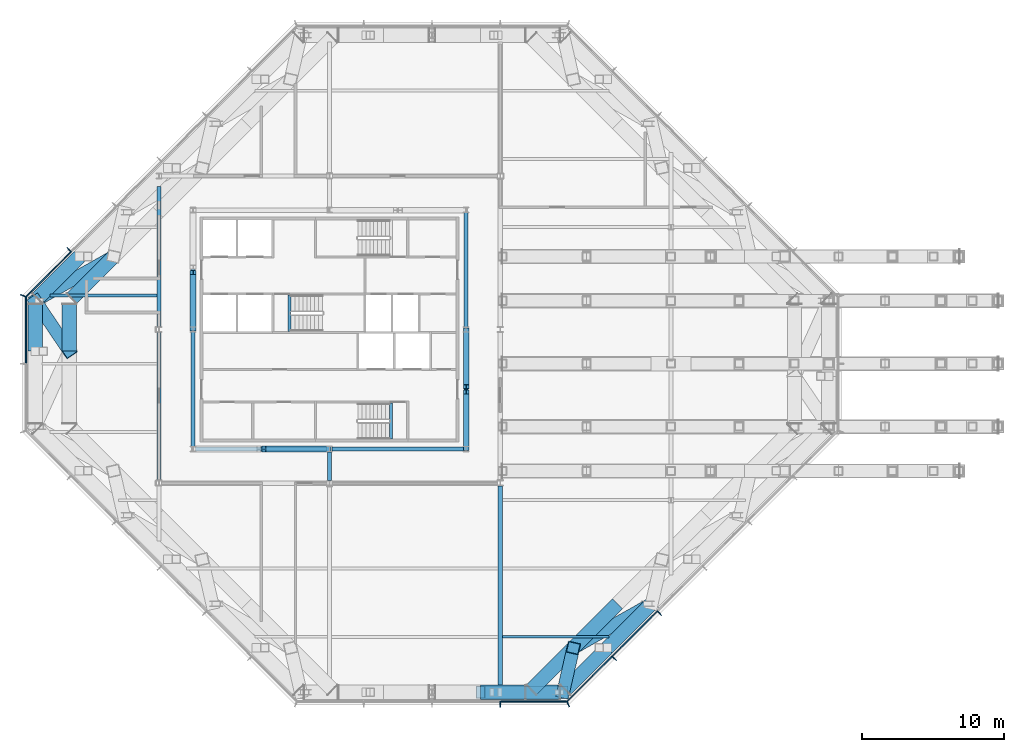
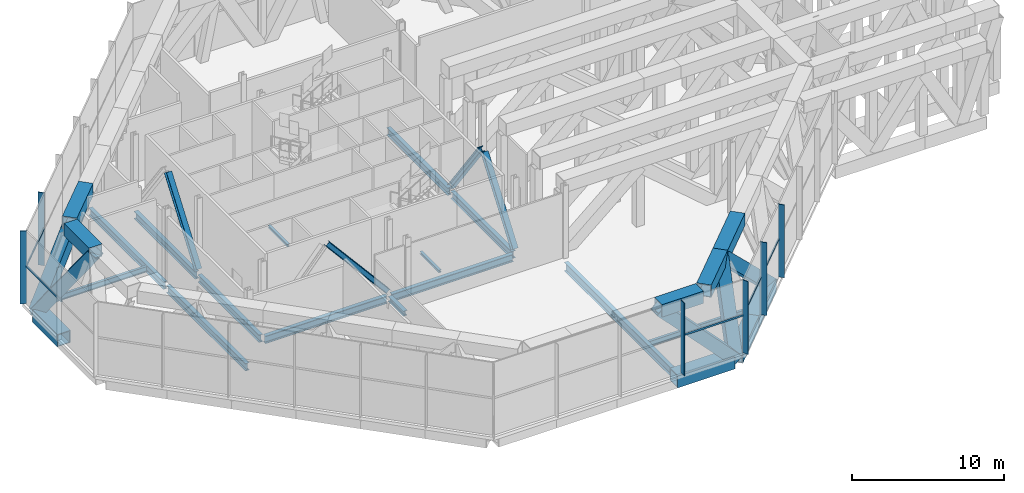
# One storey, part 5 of 18: 29 beams, 15 members, 4 elements without a shape of their own.
"""IFC4 building model written with IfcOpenShell, lengths in metres."""

from ifc_helpers import new_model, si_unit, direction, frame, origin, origin_2d, place, context, subcontext, project, spatial, rectangle, hollow_rectangle, i_section, extrude, material, material_profile, profile_set, type_object, element, aggregate, save


model = new_model("IFC4")

# Units and contexts
model_context = context("Model", 3, precision=1e-05, world=origin(), true_north=direction((0.0, 1.0)))
body_context = subcontext(model_context, "Body", "Model", "MODEL_VIEW")
ifc_project = project(units=[si_unit("LENGTHUNIT", "METRE"), si_unit("AREAUNIT", "SQUARE_METRE"), si_unit("VOLUMEUNIT", "CUBIC_METRE"), si_unit("PLANEANGLEUNIT", "RADIAN"), si_unit("MASSUNIT", "GRAM", prefix="KILO")], contexts=[model_context])

# Site, building, storey
site_placement = place(None, origin())
site = spatial("IfcSite", under=ifc_project, at=site_placement, CompositionType="ELEMENT")
building_placement = place(site_placement, origin())
building = spatial("IfcBuilding", under=site, at=building_placement, Name="Cairn Pilgrim Tower", CompositionType="ELEMENT")
storey_placement = place(building_placement, frame((0.0, 0.0, 261.0)))
storey = spatial("IfcBuildingStorey", under=building, at=storey_placement, Name="L67", CompositionType="ELEMENT", Elevation=261.0)

# Beams
ifc_material_1 = material(Name="Structural steel S460M", Category="steel")
ifc_material_profile_1 = material_profile(ifc_material_1, hollow_rectangle(XDim=1.0, YDim=1.0, WallThickness=0.06005859375, at=origin_2d()), Name="BOX 1000x1000x60")
ifc_profile_set_1 = profile_set([ifc_material_profile_1], Name="Structural steel S460M")
beam_type_1 = type_object("IfcBeamType", Name="BOX 1000x1000x60 CHORD", PredefinedType="USERDEFINED", material=ifc_profile_set_1)
beam_1_placement = place(storey_placement, frame((19.013671875, -23.10009765625, -0.75), z_axis=(1.0, 0.0, 0.0), x_axis=(0.0, 1.0, 0.0)))
element("IfcBeam", 1, at=beam_1_placement, inside=storey, type_object=beam_type_1, Name="BT67-S-BC4", ObjectType="CHORD", PredefinedType="USERDEFINED", context=body_context, shape_type="SweptSolid", body=[
    extrude(hollow_rectangle(XDim=1.0, YDim=1.0, WallThickness=0.06005859375, at=origin_2d()), origin(), (0.0, 0.0, 1.0), 4.3564453125),
])
beam_2_placement = place(storey_placement, frame((17.813720703125, -23.10009765625, 5.35009765625), z_axis=(1.0, 0.0, 0.0), x_axis=(0.0, 1.0, 0.0)))
element("IfcBeam", 2, at=beam_2_placement, inside=storey, type_object=beam_type_1, Name="BT67-S-TC4", ObjectType="CHORD", PredefinedType="USERDEFINED", context=body_context, shape_type="SweptSolid", body=[
    extrude(hollow_rectangle(XDim=1.0, YDim=1.0, WallThickness=0.06005859375, at=origin_2d()), origin(), (0.0, 0.0, 1.0), 3.156494140625),
])
beam_3_placement = place(storey_placement, frame((23.80908203125, -22.918212890625, -0.75), z_axis=(0.707077323927, 0.707136237219, 0.0), x_axis=(-0.707136237219, 0.707077323927, 0.0)))
element("IfcBeam", 3, at=beam_3_placement, inside=storey, type_object=beam_type_1, Name="BT67-SE-BC1", ObjectType="CHORD", PredefinedType="USERDEFINED", context=body_context, shape_type="SweptSolid", body=[
    extrude(hollow_rectangle(XDim=1.0, YDim=1.0, WallThickness=0.06005859375, at=origin_2d()), origin(), (0.0, 0.0, 1.0), 4.14404296875),
])
beam_4_placement = place(storey_placement, frame((21.408935546875, -22.918212890625, 5.35009765625), z_axis=(0.707106781187, 0.707106781187, 0.0), x_axis=(-0.707106781187, 0.707106781187, 0.0)))
element("IfcBeam", 4, at=beam_4_placement, inside=storey, type_object=beam_type_1, Name="BT67-SE-TC1", ObjectType="CHORD", PredefinedType="USERDEFINED", context=body_context, shape_type="SweptSolid", body=[
    extrude(hollow_rectangle(XDim=1.0, YDim=1.0, WallThickness=0.06005859375, at=origin_2d()), origin(), (0.0, 0.0, 1.0), 4.144287109375),
])
beam_5_placement = place(storey_placement, frame((26.7392578125, -19.98779296875, -0.75), z_axis=(0.707134515759, 0.707079045527, 0.0), x_axis=(-0.707079045527, 0.707134515759, 0.0)))
element("IfcBeam", 5, at=beam_5_placement, inside=storey, type_object=beam_type_1, Name="BT67-SE-BC2", ObjectType="CHORD", PredefinedType="USERDEFINED", context=body_context, shape_type="SweptSolid", body=[
    extrude(hollow_rectangle(XDim=1.0, YDim=1.0, WallThickness=0.06005859375, at=origin_2d()), origin(), (0.0, 0.0, 1.0), 4.4013671875),
])
beam_6_placement = place(storey_placement, frame((24.33935546875, -19.98779296875, 5.35009765625), z_axis=(0.707106781187, 0.707106781187, 0.0), x_axis=(-0.707106781187, 0.707106781187, 0.0)))
element("IfcBeam", 6, at=beam_6_placement, inside=storey, type_object=beam_type_1, Name="BT67-SE-TC2", ObjectType="CHORD", PredefinedType="USERDEFINED", context=body_context, shape_type="SweptSolid", body=[
    extrude(hollow_rectangle(XDim=1.0, YDim=1.0, WallThickness=0.06005859375, at=origin_2d()), origin(), (0.0, 0.0, 1.0), 4.401123046875),
])
beam_7_placement = place(storey_placement, frame((-10.387939453125, 7.539306640625, -0.75), z_axis=(-0.707077323927, -0.707136237219, 0.0), x_axis=(0.707136237219, -0.707077323927, 0.0)))
element("IfcBeam", 7, at=beam_7_placement, inside=storey, type_object=beam_type_1, Name="BT67-NW-BC6", ObjectType="CHORD", PredefinedType="USERDEFINED", context=body_context, shape_type="SweptSolid", body=[
    extrude(hollow_rectangle(XDim=1.0, YDim=1.0, WallThickness=0.06005859375, at=origin_2d()), origin(), (0.0, 0.0, 1.0), 4.14404296875),
])
beam_8_placement = place(storey_placement, frame((-7.98779296875, 7.539306640625, 5.35009765625), z_axis=(-0.707106781187, -0.707106781187, 0.0), x_axis=(0.707106781187, -0.707106781187, 0.0)))
element("IfcBeam", 8, at=beam_8_placement, inside=storey, type_object=beam_type_1, Name="BT67-NW-TC6", ObjectType="CHORD", PredefinedType="USERDEFINED", context=body_context, shape_type="SweptSolid", body=[
    extrude(hollow_rectangle(XDim=1.0, YDim=1.0, WallThickness=0.06005859375, at=origin_2d()), origin(), (0.0, 0.0, 1.0), 4.144287109375),
])
for number, where, z_axis, x_axis, name in (
    (9, (-13.5, 4.170166015625, -0.75), (0.0, -1.0, 0.0), (1.0, 0.0, 0.0), "BT67-W-BC1"),
    (10, (-11.10009765625, 4.170166015625, 5.35009765625), (0.0, -1.0, 0.0), (1.0, 0.0, 0.0), "BT67-W-TC1"),
):
    element("IfcBeam", number, at=place(storey_placement, frame(where, z_axis=z_axis, x_axis=x_axis)), inside=storey, type_object=beam_type_1, Name=name, ObjectType="CHORD", PredefinedType="USERDEFINED", context=body_context, shape_type="SweptSolid", body=[
        extrude(hollow_rectangle(XDim=1.0, YDim=1.0, WallThickness=0.06005859375, at=origin_2d()), origin(), (0.0, 0.0, 1.0), 3.28466796875),
    ])
ifc_material_profile_2 = material_profile(ifc_material_1, hollow_rectangle(XDim=0.89990234375, YDim=0.89990234375, WallThickness=0.050048828125, at=origin_2d()), Name="BOX 900x900x50")
ifc_profile_set_2 = profile_set([ifc_material_profile_2], Name="Structural steel S460M")
beam_type_2 = type_object("IfcBeamType", Name="BOX 900x900x50 DIAGONAL", PredefinedType="USERDEFINED", material=ifc_profile_set_2)
beam_9_placement = place(storey_placement, frame((17.813720703125, -23.10009765625, 5.35009765625), z_axis=(0.689895321041, 0.0, -0.723909142093), x_axis=(0.0, 1.0, 0.0)))
element("IfcBeam", 11, at=beam_9_placement, inside=storey, type_object=beam_type_2, Name="BT67-S-D4", ObjectType="DIAGONAL", PredefinedType="USERDEFINED", context=body_context, shape_type="SweptSolid", body=[
    extrude(hollow_rectangle(XDim=0.89990234375, YDim=0.89990234375, WallThickness=0.050048828125, at=origin_2d()), origin(), (0.0, 0.0, 1.0), 8.426513671875),
])
beam_10_placement = place(storey_placement, frame((23.627197265625, -23.10009765625, -0.75), z_axis=(0.10343447546, 0.452033833791, 0.885983477495), x_axis=(-0.974805800501, 0.223055265145, 0.0)))
element("IfcBeam", 12, at=beam_10_placement, inside=storey, type_object=beam_type_2, Name="BT67-SE-D1", ObjectType="DIAGONAL", PredefinedType="USERDEFINED", context=body_context, shape_type="SweptSolid", body=[
    extrude(hollow_rectangle(XDim=0.89990234375, YDim=0.89990234375, WallThickness=0.050048828125, at=origin_2d()), origin(), (0.0, 0.0, 1.0), 6.885009765625),
])
for number, where, z_axis, x_axis, name in (
    (13, (24.33935546875, -19.98779296875, 5.35009765625), (0.627033076163, 0.354007911323, -0.693907717292), (-0.491633993745, 0.870801938557, 0.0), "BT67-SE-D2"),
    (14, (-7.98779296875, 7.539306640625, 5.35009765625), (-0.627033076163, -0.354007911323, -0.693907717292), (0.491633993745, -0.870801938557, 0.0), "BT67-NW-D6"),
):
    element("IfcBeam", number, at=place(storey_placement, frame(where, z_axis=z_axis, x_axis=x_axis)), inside=storey, type_object=beam_type_2, Name=name, ObjectType="DIAGONAL", PredefinedType="USERDEFINED", context=body_context, shape_type="SweptSolid", body=[
        extrude(hollow_rectangle(XDim=0.89990234375, YDim=0.89990234375, WallThickness=0.050048828125, at=origin_2d()), origin(), (0.0, 0.0, 1.0), 8.791015625),
    ])
beam_11_placement = place(storey_placement, frame((-13.5, 4.42724609375, -0.75), z_axis=(0.322099138917, -0.475350173781, 0.818715064596), x_axis=(0.827847738793, 0.560952869121, 0.0)))
element("IfcBeam", 15, at=beam_11_placement, inside=storey, type_object=beam_type_2, Name="BT67-W-D1", ObjectType="DIAGONAL", PredefinedType="USERDEFINED", context=body_context, shape_type="SweptSolid", body=[
    extrude(hollow_rectangle(XDim=0.89990234375, YDim=0.89990234375, WallThickness=0.050048828125, at=origin_2d()), origin(), (0.0, 0.0, 1.0), 7.450927734375),
])

# Curtain wall, member
ifc_material_2 = material(Name="Aluminium alloy 6063-T6 bronze anodised with Bronze tinted laminated low-E glass 8+16+8.8", Category="aluminium")
curtain_wall_type = type_object("IfcCurtainWallType", Name="PLANT LOUVRE CURTAIN WALL", PredefinedType="NOTDEFINED", material=ifc_material_2)
curtain_wall_1_placement = place(storey_placement, origin())
curtain_wall_1 = element("IfcCurtainWall", 16, at=curtain_wall_1_placement, inside=storey, type_object=curtain_wall_type, Name="Plant Louvre Curtain Wall S", PredefinedType="NOTDEFINED")
ifc_material_3 = material(Name="Aluminium alloy 6063-T6 bronze anodised", Category="aluminium")
ifc_material_profile_3 = material_profile(ifc_material_3, rectangle(XDim=0.449951171875, YDim=0.06005859375, at=origin_2d()), Name="FIN MULLION 60x450 BRONZE")
ifc_profile_set_3 = profile_set([ifc_material_profile_3], Name="Aluminium alloy 6063-T6 bronze anodised")
member_type_1 = type_object("IfcMemberType", Name="FIN MULLION 60x450 BRONZE", PredefinedType="MULLION", material=ifc_profile_set_3)
member_1_placement = place(storey_placement, frame((19.199951171875, -23.945068359375, 0.0), z_axis=(0.0, 0.0, 1.0), x_axis=(0.0, -1.0, 0.0)))
member_1 = element("IfcMember", 17, at=member_1_placement, type_object=member_type_1, Name="Fin mullion S4", PredefinedType="MULLION", context=body_context, shape_type="SweptSolid", body=[
    extrude(rectangle(XDim=0.449951171875, YDim=0.06005859375, at=origin_2d()), origin(), (0.0, 0.0, 1.0), 5.85009765625),
])

# Curtain wall, members
curtain_wall_2_placement = place(storey_placement, origin())
curtain_wall_2 = element("IfcCurtainWall", 18, at=curtain_wall_2_placement, inside=storey, type_object=curtain_wall_type, Name="Plant Louvre Curtain Wall SE", PredefinedType="NOTDEFINED")
member_2_placement = place(storey_placement, frame((23.97119140625, -23.93017578125, 0.0), z_axis=(0.0, 0.0, 1.0), x_axis=(0.382683432365, -0.923879532511, 0.0)))
member_2 = element("IfcMember", 19, at=member_2_placement, type_object=member_type_1, Name="Fin mullion SE1", PredefinedType="MULLION", context=body_context, shape_type="SweptSolid", body=[
    extrude(rectangle(XDim=0.449951171875, YDim=0.06005859375, at=origin_2d()), origin(), (0.0, 0.0, 1.0), 5.85009765625),
])
member_3_placement = place(storey_placement, frame((27.2099609375, -20.71240234375, 0.0), z_axis=(0.0, 0.0, 1.0), x_axis=(0.707106781187, -0.707106781187, 0.0)))
member_3 = element("IfcMember", 20, at=member_3_placement, type_object=member_type_1, Name="Fin mullion SE2", PredefinedType="MULLION", context=body_context, shape_type="SweptSolid", body=[
    extrude(rectangle(XDim=0.449951171875, YDim=0.06005859375, at=origin_2d()), origin(), (0.0, 0.0, 1.0), 5.85009765625),
])
member_4_placement = place(storey_placement, frame((30.385498046875, -17.53662109375, 0.0), z_axis=(0.0, 0.0, 1.0), x_axis=(0.707106781187, -0.707106781187, 0.0)))
member_4 = element("IfcMember", 21, at=member_4_placement, type_object=member_type_1, Name="Fin mullion SE3", PredefinedType="MULLION", context=body_context, shape_type="SweptSolid", body=[
    extrude(rectangle(XDim=0.449951171875, YDim=0.06005859375, at=origin_2d()), origin(), (0.0, 0.0, 1.0), 5.85009765625),
])

# Curtain wall, member
curtain_wall_3_placement = place(storey_placement, origin())
curtain_wall_3 = element("IfcCurtainWall", 22, at=curtain_wall_3_placement, inside=storey, type_object=curtain_wall_type, Name="Plant Louvre Curtain Wall NW", PredefinedType="NOTDEFINED")
member_5_placement = place(storey_placement, frame((-11.1123046875, 8.010009765625, 0.0), z_axis=(0.0, 0.0, 1.0), x_axis=(-0.707106781187, 0.707106781187, 0.0)))
member_5 = element("IfcMember", 23, at=member_5_placement, type_object=member_type_1, Name="Fin mullion NW6", PredefinedType="MULLION", context=body_context, shape_type="SweptSolid", body=[
    extrude(rectangle(XDim=0.449951171875, YDim=0.06005859375, at=origin_2d()), origin(), (0.0, 0.0, 1.0), 5.85009765625),
])

curtain_wall_4_placement = place(storey_placement, origin())
curtain_wall_4 = element("IfcCurtainWall", 24, at=curtain_wall_4_placement, inside=storey, type_object=curtain_wall_type, Name="Plant Louvre Curtain Wall W", PredefinedType="NOTDEFINED")
member_6_placement = place(storey_placement, frame((-14.330078125, 4.77099609375, 0.0), z_axis=(0.0, 0.0, 1.0), x_axis=(-0.923879532511, 0.382683432365, 0.0)))
member_6 = element("IfcMember", 25, at=member_6_placement, type_object=member_type_1, Name="Fin mullion W1", PredefinedType="MULLION", context=body_context, shape_type="SweptSolid", body=[
    extrude(rectangle(XDim=0.449951171875, YDim=0.06005859375, at=origin_2d()), origin(), (0.0, 0.0, 1.0), 5.85009765625),
])

# Members
ifc_material_4 = material(Name="Structural steel S355J2", Category="steel")
ifc_material_profile_4 = material_profile(ifc_material_4, i_section(OverallWidth=0.39794921875, OverallDepth=0.386962890625, WebThickness=0.02099609375, FlangeThickness=0.033203125, FilletRadius=0.014892578125, at=origin_2d()), Name="HD 400x262")
ifc_profile_set_4 = profile_set([ifc_material_profile_4], Name="Structural steel S355J2")
member_type_2 = type_object("IfcMemberType", Name="HD 400x262 BRACE", PredefinedType="BRACE", material=ifc_profile_set_4)
member_7_placement = place(storey_placement, frame((7.16015625, -6.0, 0.0), z_axis=(-0.647452451066, 0.0, 0.762105848034), x_axis=(0.0, -1.0, 0.0)))
element("IfcMember", 26, at=member_7_placement, inside=storey, type_object=member_type_2, Name="KB-1B", PredefinedType="BRACE", context=body_context, shape_type="SweptSolid", body=[
    extrude(i_section(OverallWidth=0.39794921875, OverallDepth=0.386962890625, WebThickness=0.02099609375, FlangeThickness=0.033203125, FilletRadius=0.014892578125, at=origin_2d()), origin(), (0.0, 0.0, 1.0), 7.088623046875),
])
member_8_placement = place(storey_placement, frame((16.800048828125, -5.960205078125, 0.0), z_axis=(0.0, 0.592395315178, 0.805647435641), x_axis=(-1.0, 0.0, 0.0)))
element("IfcMember", 27, at=member_8_placement, inside=storey, type_object=member_type_2, Name="KB-2A", PredefinedType="BRACE", context=body_context, shape_type="SweptSolid", body=[
    extrude(i_section(OverallWidth=0.39794921875, OverallDepth=0.386962890625, WebThickness=0.02099609375, FlangeThickness=0.033203125, FilletRadius=0.014892578125, at=origin_2d()), origin(), (0.0, 0.0, 1.0), 6.70654296875),
])
member_9_placement = place(storey_placement, frame((16.800048828125, 2.360107421875, 0.0), z_axis=(0.0, -0.592371686028, 0.805664809702), x_axis=(1.0, 0.0, 0.0)))
element("IfcMember", 28, at=member_9_placement, inside=storey, type_object=member_type_2, Name="KB-2B", PredefinedType="BRACE", context=body_context, shape_type="SweptSolid", body=[
    extrude(i_section(OverallWidth=0.39794921875, OverallDepth=0.386962890625, WebThickness=0.02099609375, FlangeThickness=0.033203125, FilletRadius=0.014892578125, at=origin_2d()), origin(), (0.0, 0.0, 1.0), 6.706298828125),
])
member_10_placement = place(storey_placement, frame((-2.39990234375, 2.439697265625, 0.0), z_axis=(0.0, 0.592395315178, 0.805647435641), x_axis=(-1.0, 0.0, 0.0)))
element("IfcMember", 29, at=member_10_placement, inside=storey, type_object=member_type_2, Name="KB-4B", PredefinedType="BRACE", context=body_context, shape_type="SweptSolid", body=[
    extrude(i_section(OverallWidth=0.39794921875, OverallDepth=0.386962890625, WebThickness=0.02099609375, FlangeThickness=0.033203125, FilletRadius=0.014892578125, at=origin_2d()), origin(), (0.0, 0.0, 1.0), 6.70654296875),
])

# Beams
ifc_material_profile_5 = material_profile(ifc_material_4, i_section(OverallWidth=0.300048828125, OverallDepth=0.39990234375, WebThickness=0.013427734375, FlangeThickness=0.02392578125, FilletRadius=0.027099609375, at=origin_2d()), Name="HEB 400")
ifc_profile_set_5 = profile_set([ifc_material_profile_5], Name="Structural steel S355J2")
beam_type_3 = type_object("IfcBeamType", Name="HEB 400 GIRDER", PredefinedType="BEAM", material=ifc_profile_set_5)
beam_12_placement = place(storey_placement, frame((7.199951171875, -8.202880859375, -0.449951171875), z_axis=(0.0, 1.0, 0.0), x_axis=(-1.0, 0.0, 0.0)))
element("IfcBeam", 30, at=beam_12_placement, inside=storey, type_object=beam_type_3, Name="PG3-E1", PredefinedType="BEAM", context=body_context, shape_type="SweptSolid", body=[
    extrude(i_section(OverallWidth=0.300048828125, OverallDepth=0.39990234375, WebThickness=0.013427734375, FlangeThickness=0.02392578125, FilletRadius=0.027099609375, at=origin_2d()), origin(), (0.0, 0.0, 1.0), 2.00390625),
])
ifc_material_profile_6 = material_profile(ifc_material_4, i_section(OverallWidth=0.300048828125, OverallDepth=0.60009765625, WebThickness=0.015380859375, FlangeThickness=0.030029296875, FilletRadius=0.027099609375, at=origin_2d()), Name="HEB 600")
ifc_profile_set_6 = profile_set([ifc_material_profile_6], Name="Structural steel S355J2")
beam_type_4 = type_object("IfcBeamType", Name="HEB 600 CORE BEAM", PredefinedType="BEAM", material=ifc_profile_set_6)
beam_13_placement = place(storey_placement, frame((-2.220947265625, -6.0, -0.550048828125), z_axis=(1.0, 0.0, 0.0), x_axis=(0.0, 1.0, 0.0)))
element("IfcBeam", 31, at=beam_13_placement, inside=storey, type_object=beam_type_4, Name="CB-1", PredefinedType="BEAM", context=body_context, shape_type="SweptSolid", body=[
    extrude(i_section(OverallWidth=0.300048828125, OverallDepth=0.60009765625, WebThickness=0.015380859375, FlangeThickness=0.030029296875, FilletRadius=0.027099609375, at=origin_2d()), origin(), (0.0, 0.0, 1.0), 9.241943359375),
])
beam_14_placement = place(storey_placement, frame((7.379150390625, -6.0, -0.550048828125), z_axis=(1.0, 0.0, 0.0), x_axis=(0.0, 1.0, 0.0)))
element("IfcBeam", 32, at=beam_14_placement, inside=storey, type_object=beam_type_4, Name="CB-2", PredefinedType="BEAM", context=body_context, shape_type="SweptSolid", body=[
    extrude(i_section(OverallWidth=0.300048828125, OverallDepth=0.60009765625, WebThickness=0.015380859375, FlangeThickness=0.030029296875, FilletRadius=0.027099609375, at=origin_2d()), origin(), (0.0, 0.0, 1.0), 9.24169921875),
])
for number, where, z_axis, x_axis, name in (
    (33, (16.800048828125, -5.82080078125, -0.550048828125), (0.0, 1.0, 0.0), (-1.0, 0.0, 0.0), "CB-3"),
    (34, (16.800048828125, 2.5791015625, -0.550048828125), (0.0, 1.0, 0.0), (-1.0, 0.0, 0.0), "CB-4"),
    (35, (-2.39990234375, 10.620849609375, -0.550048828125), (0.0, -1.0, 0.0), (1.0, 0.0, 0.0), "CB-7"),
    (36, (-2.39990234375, 2.220947265625, -0.550048828125), (0.0, -1.0, 0.0), (1.0, 0.0, 0.0), "CB-8"),
):
    element("IfcBeam", number, at=place(storey_placement, frame(where, z_axis=z_axis, x_axis=x_axis)), inside=storey, type_object=beam_type_4, Name=name, PredefinedType="BEAM", context=body_context, shape_type="SweptSolid", body=[
        extrude(i_section(OverallWidth=0.300048828125, OverallDepth=0.60009765625, WebThickness=0.015380859375, FlangeThickness=0.030029296875, FilletRadius=0.027099609375, at=origin_2d()), origin(), (0.0, 0.0, 1.0), 8.041748046875),
    ])
ifc_material_profile_7 = material_profile(ifc_material_4, i_section(OverallWidth=0.300048828125, OverallDepth=0.60009765625, WebThickness=0.015380859375, FlangeThickness=0.030029296875, FilletRadius=0.027099609375, at=origin_2d()), Name="HEB 600")
ifc_profile_set_7 = profile_set([ifc_material_profile_7], Name="Structural steel S355J2")
beam_type_5 = type_object("IfcBeamType", Name="HEB 600 GIRDER", PredefinedType="BEAM", material=ifc_profile_set_7)
beam_15_placement = place(storey_placement, frame((-4.800048828125, -8.202880859375, -0.550048828125), z_axis=(0.0, 1.0, 0.0), x_axis=(-1.0, 0.0, 0.0)))
element("IfcBeam", 37, at=beam_15_placement, inside=storey, type_object=beam_type_5, Name="PG2-2", PredefinedType="BEAM", context=body_context, shape_type="SweptSolid", body=[
    extrude(i_section(OverallWidth=0.300048828125, OverallDepth=0.60009765625, WebThickness=0.015380859375, FlangeThickness=0.030029296875, FilletRadius=0.027099609375, at=origin_2d()), origin(), (0.0, 0.0, 1.0), 10.40576171875),
])
beam_16_placement = place(storey_placement, frame((-4.800048828125, 2.596923828125, -0.550048828125), z_axis=(0.0, 1.0, 0.0), x_axis=(-1.0, 0.0, 0.0)))
element("IfcBeam", 38, at=beam_16_placement, inside=storey, type_object=beam_type_5, Name="PG2-3", PredefinedType="BEAM", context=body_context, shape_type="SweptSolid", body=[
    extrude(i_section(OverallWidth=0.300048828125, OverallDepth=0.60009765625, WebThickness=0.015380859375, FlangeThickness=0.030029296875, FilletRadius=0.027099609375, at=origin_2d()), origin(), (0.0, 0.0, 1.0), 9.853271484375),
])
ifc_material_profile_8 = material_profile(ifc_material_4, i_section(OverallWidth=0.300048828125, OverallDepth=0.699951171875, WebThickness=0.01708984375, FlangeThickness=0.031982421875, FilletRadius=0.027099609375, at=origin_2d()), Name="HEB 700")
ifc_profile_set_8 = profile_set([ifc_material_profile_8], Name="Structural steel S355J2")
beam_type_6 = type_object("IfcBeamType", Name="HEB 700 GIRDER", PredefinedType="BEAM", material=ifc_profile_set_8)
beam_17_placement = place(storey_placement, frame((19.199951171875, -22.6298828125, -0.60009765625), z_axis=(0.0, 1.0, 0.0), x_axis=(-1.0, 0.0, 0.0)))
element("IfcBeam", 39, at=beam_17_placement, inside=storey, type_object=beam_type_6, Name="PG4-1", PredefinedType="BEAM", context=body_context, shape_type="SweptSolid", body=[
    extrude(i_section(OverallWidth=0.300048828125, OverallDepth=0.699951171875, WebThickness=0.01708984375, FlangeThickness=0.031982421875, FilletRadius=0.027099609375, at=origin_2d()), origin(), (0.0, 0.0, 1.0), 14.032958984375),
])
ifc_material_profile_9 = material_profile(ifc_material_4, i_section(OverallWidth=0.18994140625, OverallDepth=0.449951171875, WebThickness=0.009521484375, FlangeThickness=0.0146484375, FilletRadius=0.02099609375, at=origin_2d()), Name="IPE 450")
ifc_profile_set_9 = profile_set([ifc_material_profile_9], Name="Structural steel S355J2")
beam_type_7 = type_object("IfcBeamType", Name="IPE 450 SECONDARY BEAM", PredefinedType="JOIST", material=ifc_profile_set_9)
beam_18_placement = place(storey_placement, frame((19.35009765625, -19.199951171875, -0.47509765625), z_axis=(1.0, 0.0, 0.0), x_axis=(0.0, 1.0, 0.0)))
element("IfcBeam", 40, at=beam_18_placement, inside=storey, type_object=beam_type_7, Name="SB1-3", PredefinedType="JOIST", context=body_context, shape_type="SweptSolid", body=[
    extrude(i_section(OverallWidth=0.18994140625, OverallDepth=0.449951171875, WebThickness=0.009521484375, FlangeThickness=0.0146484375, FilletRadius=0.02099609375, at=origin_2d()), origin(), (0.0, 0.0, 1.0), 7.5),
])
beam_19_placement = place(storey_placement, frame((-12.4501953125, 4.800048828125, -0.47509765625), z_axis=(1.0, 0.0, 0.0), x_axis=(0.0, 1.0, 0.0)))
element("IfcBeam", 41, at=beam_19_placement, inside=storey, type_object=beam_type_7, Name="SB6-1", PredefinedType="JOIST", context=body_context, shape_type="SweptSolid", body=[
    extrude(i_section(OverallWidth=0.18994140625, OverallDepth=0.449951171875, WebThickness=0.009521484375, FlangeThickness=0.0146484375, FilletRadius=0.02099609375, at=origin_2d()), origin(), (0.0, 0.0, 1.0), 7.500244140625),
])
ifc_material_profile_10 = material_profile(ifc_material_4, i_section(OverallWidth=0.199951171875, OverallDepth=0.199951171875, WebThickness=0.009033203125, FlangeThickness=0.014892578125, FilletRadius=0.01806640625, at=origin_2d()), Name="HE 200 B")
ifc_profile_set_10 = profile_set([ifc_material_profile_10], Name="Structural steel S355J2")
beam_type_8 = type_object("IfcBeamType", Name="STAIR LANDING BEAM HE 200 B", PredefinedType="BEAM", material=ifc_profile_set_10)
beam_20_placement = place(storey_placement, frame((11.5244140625, -2.77490234375, -0.35009765625), z_axis=(0.0, -1.0, 0.0), x_axis=(1.0, 0.0, 0.0)))
element("IfcBeam", 42, at=beam_20_placement, inside=storey, type_object=beam_type_8, Name="STAIR LANDING BEAM LD-HE200B", PredefinedType="BEAM", context=body_context, shape_type="SweptSolid", body=[
    extrude(i_section(OverallWidth=0.199951171875, OverallDepth=0.199951171875, WebThickness=0.009033203125, FlangeThickness=0.014892578125, FilletRadius=0.01806640625, at=origin_2d()), origin(), (0.0, 0.0, 1.0), 2.525146484375),
])
beam_21_placement = place(storey_placement, frame((4.37548828125, 2.27490234375, -0.35009765625), z_axis=(0.0, 1.0, 0.0), x_axis=(-1.0, 0.0, 0.0)))
element("IfcBeam", 43, at=beam_21_placement, inside=storey, type_object=beam_type_8, Name="STAIR LANDING BEAM LD-HE200B", PredefinedType="BEAM", context=body_context, shape_type="SweptSolid", body=[
    extrude(i_section(OverallWidth=0.199951171875, OverallDepth=0.199951171875, WebThickness=0.009033203125, FlangeThickness=0.014892578125, FilletRadius=0.01806640625, at=origin_2d()), origin(), (0.0, 0.0, 1.0), 2.550048828125),
])

# Member
ifc_material_profile_11 = material_profile(ifc_material_3, rectangle(XDim=0.080078125, YDim=0.14990234375, at=origin_2d()), Name="TRANSOM 80x150 BRONZE")
ifc_profile_set_11 = profile_set([ifc_material_profile_11], Name="Aluminium alloy 6063-T6 bronze anodised")
member_type_3 = type_object("IfcMemberType", Name="TRANSOM 80x150 BRONZE", PredefinedType="USERDEFINED", material=ifc_profile_set_11)
member_11_placement = place(storey_placement, frame((19.22998046875, -23.75, 3.0), z_axis=(1.0, 0.0, 0.0), x_axis=(0.0, 1.0, 0.0)))
member_11 = element("IfcMember", 44, at=member_11_placement, type_object=member_type_3, Name="Transom S4", ObjectType="TRANSOM", PredefinedType="USERDEFINED", context=body_context, shape_type="SweptSolid", body=[
    extrude(rectangle(XDim=0.080078125, YDim=0.14990234375, at=origin_2d()), origin(), (0.0, 0.0, 1.0), 4.62646484375),
])

aggregate(curtain_wall_1, [member_1, member_11])

member_12_placement = place(storey_placement, frame((23.9248046875, -23.7216796875, 3.0), z_axis=(0.707106781187, 0.707106781187, 0.0), x_axis=(-0.707106781187, 0.707106781187, 0.0)))
member_12 = element("IfcMember", 45, at=member_12_placement, type_object=member_type_3, Name="Transom SE1", ObjectType="TRANSOM", PredefinedType="USERDEFINED", context=body_context, shape_type="SweptSolid", body=[
    extrude(rectangle(XDim=0.080078125, YDim=0.14990234375, at=origin_2d()), origin(), (0.0, 0.0, 1.0), 4.4208984375),
])

member_13_placement = place(storey_placement, frame((27.09326171875, -20.55322265625, 3.0), z_axis=(0.707079231393, 0.707134329907, 0.0), x_axis=(-0.707134329907, 0.707079231393, 0.0)))
member_13 = element("IfcMember", 46, at=member_13_placement, type_object=member_type_3, Name="Transom SE2", ObjectType="TRANSOM", PredefinedType="USERDEFINED", context=body_context, shape_type="SweptSolid", body=[
    extrude(rectangle(XDim=0.080078125, YDim=0.14990234375, at=origin_2d()), origin(), (0.0, 0.0, 1.0), 4.430908203125),
])

aggregate(curtain_wall_2, [member_2, member_3, member_4, member_12, member_13])

member_14_placement = place(storey_placement, frame((-10.99560546875, 7.850830078125, 3.0), z_axis=(-0.707106781187, -0.707106781187, 0.0), x_axis=(0.707106781187, -0.707106781187, 0.0)))
member_14 = element("IfcMember", 47, at=member_14_placement, type_object=member_type_3, Name="Transom NW6", ObjectType="TRANSOM", PredefinedType="USERDEFINED", context=body_context, shape_type="SweptSolid", body=[
    extrude(rectangle(XDim=0.080078125, YDim=0.14990234375, at=origin_2d()), origin(), (0.0, 0.0, 1.0), 4.421142578125),
])

aggregate(curtain_wall_3, [member_5, member_14])

member_15_placement = place(storey_placement, frame((-14.14990234375, 4.656494140625, 3.0), z_axis=(0.0, -1.0, 0.0), x_axis=(1.0, 0.0, 0.0)))
member_15 = element("IfcMember", 48, at=member_15_placement, type_object=member_type_3, Name="Transom W1", ObjectType="TRANSOM", PredefinedType="USERDEFINED", context=body_context, shape_type="SweptSolid", body=[
    extrude(rectangle(XDim=0.080078125, YDim=0.14990234375, at=origin_2d()), origin(), (0.0, 0.0, 1.0), 4.62646484375),
])

aggregate(curtain_wall_4, [member_6, member_15])

save(model, "model.ifc")
